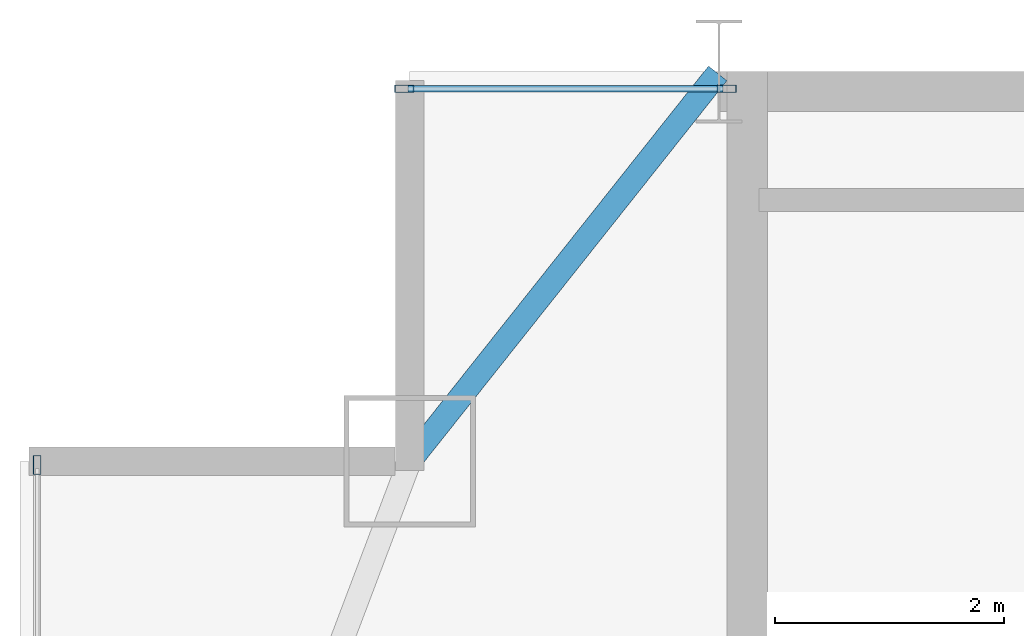
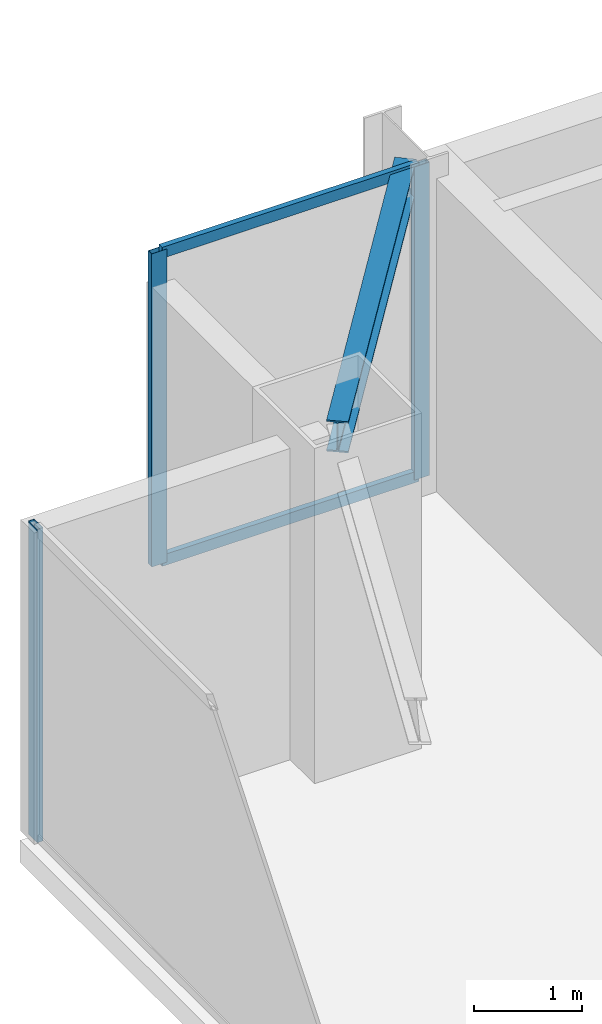
# One storey, part 21 of 31: 5 members, 1 beam, 2 elements without a shape of their own.
"""IFC4 building model written with IfcOpenShell, lengths in metres."""

from ifc_helpers import new_model, si_unit, direction, frame, origin, origin_2d, place, context, subcontext, project, spatial, hollow_rectangle, i_section, extrude, source, transform, mapped, material, layer, layer_set, material_profile, profile_set, type_object, type_shapes, element, aggregate, save


model = new_model("IFC4")

# Units and contexts
model_context = context("Model", 3, precision=1e-05, world=origin(), true_north=direction((0.0, 1.0)))
body_context = subcontext(model_context, "Body", "Model", "MODEL_VIEW")
ifc_project = project(units=[si_unit("LENGTHUNIT", "METRE"), si_unit("AREAUNIT", "SQUARE_METRE"), si_unit("VOLUMEUNIT", "CUBIC_METRE"), si_unit("PLANEANGLEUNIT", "RADIAN"), si_unit("MASSUNIT", "GRAM", prefix="KILO")], contexts=[model_context])

# Site, building, storey
site_placement = place(None, origin())
site = spatial("IfcSite", under=ifc_project, at=site_placement, CompositionType="ELEMENT")
building_placement = place(site_placement, origin())
building = spatial("IfcBuilding", under=site, at=building_placement, Name="Varnel Quay Broadcast Tower", CompositionType="ELEMENT")
storey_placement = place(building_placement, frame((0.0, 0.0, 239.39990234375)))
storey = spatial("IfcBuildingStorey", under=building, at=storey_placement, Name="L59", CompositionType="ELEMENT", Elevation=239.39990234375)

# Beam
ifc_material_1 = material(Name="Structural Steel CSA G40.21 350W", Category="steel")
ifc_material_profile_1 = material_profile(ifc_material_1, i_section(OverallWidth=0.205078125, OverallDepth=0.35400390625, WebThickness=0.009521484375, FlangeThickness=0.016845703125, FilletRadius=0.012939453125, at=origin_2d()), Name="W360X79")
ifc_profile_set_1 = profile_set([ifc_material_profile_1], Name="Structural Steel CSA G40.21 350W")
beam_type = type_object("IfcBeamType", Name="Beam_W360X79", PredefinedType="SPANDREL", material=ifc_profile_set_1)
shared_shape_1 = source(origin(), body_context, "Body", "SweptSolid", [
    extrude(i_section(OverallWidth=0.205078125, OverallDepth=0.35400390625, WebThickness=0.009521484375, FlangeThickness=0.016845703125, FilletRadius=0.012939453125, at=origin_2d()), origin(), (0.0, 0.0, 1.0), 4.301513671875),
])
type_shapes(beam_type, [shared_shape_1])
beam_placement = place(storey_placement, frame((12.912353515625, 43.415771484375, 3.373046875), z_axis=(0.621936399401, 0.783067758946, 0.0), x_axis=(-0.783067758946, 0.621936399401, 0.0)))
element("IfcBeam", 1, at=beam_placement, inside=storey, type_object=beam_type, Name="L59 NW Tie Spandrel", PredefinedType="SPANDREL", context=body_context, shape_type="MappedRepresentation", body=[
    mapped(shared_shape_1, transform((0.0, 0.0, 0.0), x_axis=(1.0, 0.0, 0.0), y_axis=(0.0, 1.0, 0.0), z_axis=(0.0, 0.0, 1.0), scale=1.0)),
])

# Curtain wall, member
ifc_material_2 = material(Name="Anodised Bronze Aluminium 6063-T6", Category="aluminium")
ifc_layer = layer(ifc_material_2, 0.18994140625, Name="Anodised Bronze Aluminium 6063-T6")
ifc_layer_set = layer_set([ifc_layer], Name="Anodised Bronze Aluminium 6063-T6")
curtain_wall_type = type_object("IfcCurtainWallType", Name="CW_UpperTower", PredefinedType="NOTDEFINED", material=ifc_layer_set)
curtain_wall_1_placement = place(storey_placement, origin())
curtain_wall_1 = element("IfcCurtainWall", 2, at=curtain_wall_1_placement, inside=storey, type_object=curtain_wall_type, Name="L59 West Unitised Curtain Wall", PredefinedType="NOTDEFINED")
ifc_material_profile_2 = material_profile(ifc_material_2, hollow_rectangle(XDim=0.06494140625, YDim=0.1650390625, WallThickness=0.00341796875, at=origin_2d()), Name="ALU65X165X3.5")
ifc_profile_set_2 = profile_set([ifc_material_profile_2], Name="Anodised Bronze Aluminium 6063-T6")
member_type_1 = type_object("IfcMemberType", Name="Mull_CWS-03", PredefinedType="MULLION", material=ifc_profile_set_2)
shared_shape_2 = source(origin(), body_context, "Body", "SweptSolid", [
    extrude(hollow_rectangle(XDim=0.06494140625, YDim=0.1650390625, WallThickness=0.00341796875, at=origin_2d()), origin(), (0.0, 0.0, 1.0), 3.550048828125),
])
type_shapes(member_type_1, [shared_shape_2])
member_1_placement = place(storey_placement, frame((9.64990234375, 43.367431640625, 0.0), z_axis=(0.0, 0.0, 1.0), x_axis=(-1.0, 0.0, 0.0)))
member_1 = element("IfcMember", 3, at=member_1_placement, type_object=member_type_1, Name="CWS-03 mullion 3", PredefinedType="MULLION", context=body_context, shape_type="MappedRepresentation", body=[
    mapped(shared_shape_2, transform((0.0, 0.0, 0.0), x_axis=(1.0, 0.0, 0.0), y_axis=(0.0, 1.0, 0.0), z_axis=(0.0, 0.0, 1.0), scale=1.0)),
])
aggregate(curtain_wall_1, [member_1])

# Curtain wall, members
curtain_wall_2_placement = place(storey_placement, origin())
curtain_wall_2 = element("IfcCurtainWall", 4, at=curtain_wall_2_placement, inside=storey, type_object=curtain_wall_type, Name="L59 NW Wing Curtain Wall", PredefinedType="NOTDEFINED")
member_2_placement = place(storey_placement, frame((12.8525390625, 46.64990234375, 0.0), z_axis=(0.0, 0.0, 1.0), x_axis=(0.0, 1.0, 0.0)))
member_2 = element("IfcMember", 5, at=member_2_placement, type_object=member_type_1, Name="CWS-03 mullion 1", PredefinedType="MULLION", context=body_context, shape_type="MappedRepresentation", body=[
    mapped(shared_shape_2, transform((0.0, 0.0, 0.0), x_axis=(1.0, 0.0, 0.0), y_axis=(0.0, 1.0, 0.0), z_axis=(0.0, 0.0, 1.0), scale=1.0)),
])
member_3_placement = place(storey_placement, frame((15.66748046875, 46.64990234375, 0.0), z_axis=(0.0, 0.0, 1.0), x_axis=(0.0, 1.0, 0.0)))
member_3 = element("IfcMember", 6, at=member_3_placement, type_object=member_type_1, Name="CWS-03 mullion 2", PredefinedType="MULLION", context=body_context, shape_type="MappedRepresentation", body=[
    mapped(shared_shape_2, transform((0.0, 0.0, 0.0), x_axis=(1.0, 0.0, 0.0), y_axis=(0.0, 1.0, 0.0), z_axis=(0.0, 0.0, 1.0), scale=1.0)),
])
ifc_material_profile_3 = material_profile(ifc_material_2, hollow_rectangle(XDim=0.06005859375, YDim=0.125, WallThickness=0.0029296875, at=origin_2d()), Name="ALU60X125X3")
ifc_profile_set_3 = profile_set([ifc_material_profile_3], Name="Anodised Bronze Aluminium 6063-T6")
member_type_2 = type_object("IfcMemberType", Name="Tran_CWS-03", PredefinedType="USERDEFINED", material=ifc_profile_set_3)
shared_shape_3 = source(origin(), body_context, "Body", "SweptSolid", [
    extrude(hollow_rectangle(XDim=0.06005859375, YDim=0.125, WallThickness=0.0029296875, at=origin_2d()), origin(), (0.0, 0.0, 1.0), 2.75),
])
type_shapes(member_type_2, [shared_shape_3])
member_4_placement = place(storey_placement, frame((12.885009765625, 46.64990234375, 0.030029296875), z_axis=(1.0, 0.0, 0.0), x_axis=(0.0, 1.0, 0.0)))
member_4 = element("IfcMember", 7, at=member_4_placement, type_object=member_type_2, Name="CWS-03 transom 1.1", ObjectType="TRANSOM", PredefinedType="USERDEFINED", context=body_context, shape_type="MappedRepresentation", body=[
    mapped(shared_shape_3, transform((0.0, 0.0, 0.0), x_axis=(1.0, 0.0, 0.0), y_axis=(0.0, 1.0, 0.0), z_axis=(0.0, 0.0, 1.0), scale=1.0)),
])
member_5_placement = place(storey_placement, frame((12.885009765625, 46.64990234375, 3.52001953125), z_axis=(1.0, 0.0, 0.0), x_axis=(0.0, 1.0, 0.0)))
member_5 = element("IfcMember", 8, at=member_5_placement, type_object=member_type_2, Name="CWS-03 transom 1.2", ObjectType="TRANSOM", PredefinedType="USERDEFINED", context=body_context, shape_type="MappedRepresentation", body=[
    mapped(shared_shape_3, transform((0.0, 0.0, 0.0), x_axis=(1.0, 0.0, 0.0), y_axis=(0.0, 1.0, 0.0), z_axis=(0.0, 0.0, 1.0), scale=1.0)),
])
aggregate(curtain_wall_2, [member_2, member_3, member_4, member_5])

save(model, "model.ifc")
